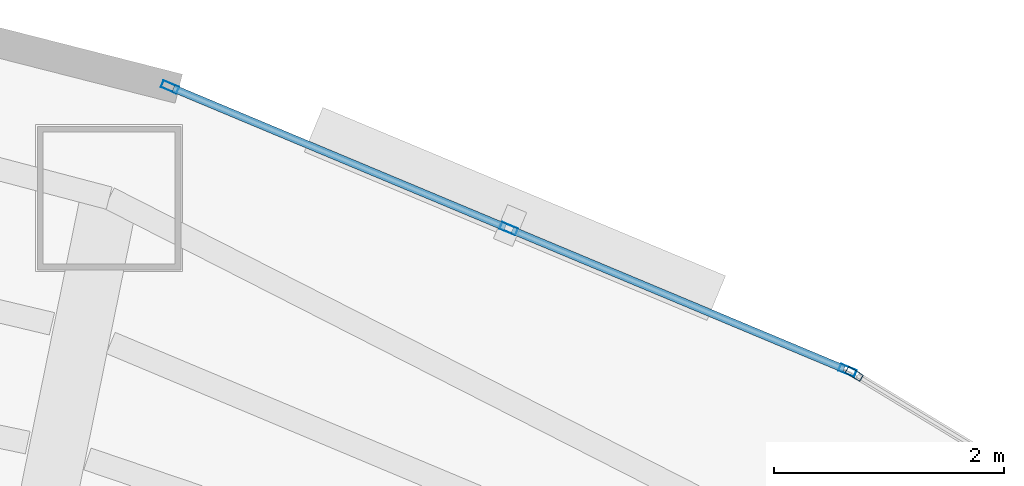
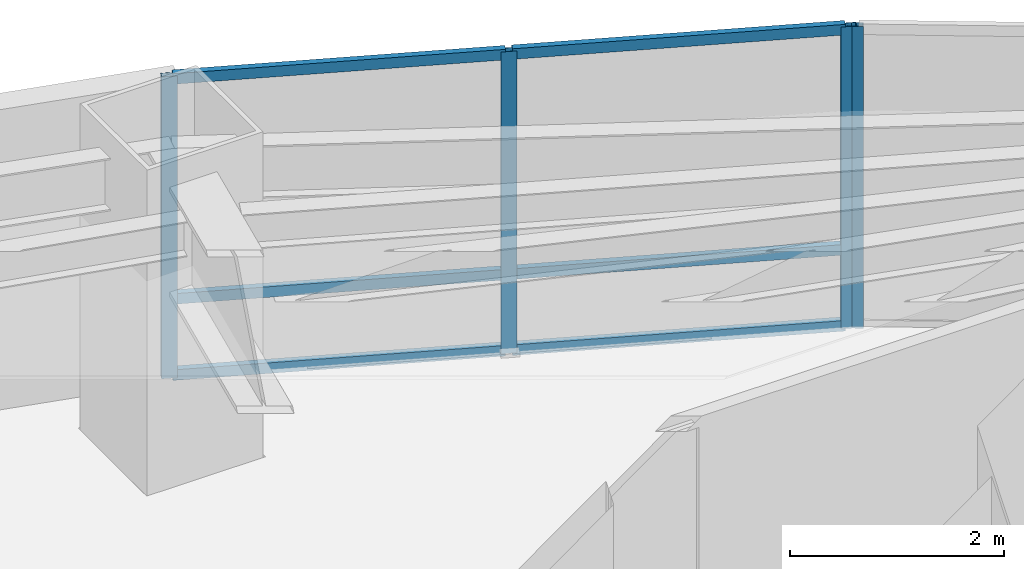
# One storey, part 8 of 17: 10 members, 2 elements without a shape of their own.
"""IFC4 building model written with IfcOpenShell, lengths in metres."""

from ifc_helpers import new_model, si_unit, direction, frame, origin, origin_2d, place, context, subcontext, project, spatial, hollow_rectangle, extrude, material, layer, layer_set, material_profile, profile_set, type_object, element, aggregate, save


model = new_model("IFC4")

# Units and contexts
model_context = context("Model", 3, precision=1e-05, world=origin(), true_north=direction((0.0, 1.0)))
body_context = subcontext(model_context, "Body", "Model", "MODEL_VIEW")
ifc_project = project(units=[si_unit("LENGTHUNIT", "METRE"), si_unit("AREAUNIT", "SQUARE_METRE"), si_unit("VOLUMEUNIT", "CUBIC_METRE"), si_unit("PLANEANGLEUNIT", "RADIAN"), si_unit("MASSUNIT", "GRAM", prefix="KILO")], contexts=[model_context])

# Site, building, storey
site_placement = place(None, origin())
site = spatial("IfcSite", under=ifc_project, at=site_placement, CompositionType="ELEMENT")
building_placement = place(site_placement, origin())
building = spatial("IfcBuilding", under=site, at=building_placement, Name="Menara Vayukalpa", CompositionType="ELEMENT")
storey_placement = place(building_placement, frame((0.0, 0.0, 100.260009765625)))
storey = spatial("IfcBuildingStorey", under=building, at=storey_placement, Name="L24", CompositionType="ELEMENT", Elevation=100.260009765625)

# Curtain wall, member
ifc_material_1 = material(Name="Anodised Terracotta Aluminium Alloy 6063-T6", Category="masonry")
ifc_layer = layer(ifc_material_1, 0.14990234375)
ifc_layer_set = layer_set([ifc_layer], Name="Anodised Terracotta Aluminium Alloy 6063-T6")
curtain_wall_type = type_object("IfcCurtainWallType", Name="CW-CW3", PredefinedType="USERDEFINED", material=ifc_layer_set)
curtain_wall_1_placement = place(storey_placement, origin())
curtain_wall_1 = element("IfcCurtainWall", 1, at=curtain_wall_1_placement, inside=storey, type_object=curtain_wall_type, Name="L24 Mid Rise Terracotta Ribbon Curtain Wall CW3 04", ObjectType="UNITISED", PredefinedType="USERDEFINED")
ifc_material_2 = material(Name="Anodised Terracotta Aluminium Alloy 6063-T6", Category="masonry")
ifc_material_profile_1 = material_profile(ifc_material_2, hollow_rectangle(XDim=0.06494140625, YDim=0.14990234375, WallThickness=0.00341796875, at=origin_2d()), Name="ALU 65x150x3.5")
ifc_profile_set_1 = profile_set([ifc_material_profile_1], Name="Anodised Terracotta Aluminium Alloy 6063-T6")
member_type_1 = type_object("IfcMemberType", Name="CWM-CW3", PredefinedType="MULLION", material=ifc_profile_set_1)
member_1_placement = place(storey_placement, frame((29.8935546875, 31.938232421875, 0.0), z_axis=(0.0, 0.0, 1.0), x_axis=(-0.519182959112, -0.854663123674, 0.0)))
member_1 = element("IfcMember", 2, at=member_1_placement, type_object=member_type_1, Name="CW3 mullion 3", PredefinedType="MULLION", context=body_context, shape_type="SweptSolid", body=[
    extrude(hollow_rectangle(XDim=0.06494140625, YDim=0.14990234375, WallThickness=0.00341796875, at=origin_2d()), origin(), (0.0, 0.0, 1.0), 3.43994140625),
])
aggregate(curtain_wall_1, [member_1])

# Curtain wall, members
curtain_wall_2_placement = place(storey_placement, origin())
curtain_wall_2 = element("IfcCurtainWall", 3, at=curtain_wall_2_placement, inside=storey, type_object=curtain_wall_type, Name="L24 Mid Rise Terracotta Ribbon Curtain Wall CW3 05", ObjectType="UNITISED", PredefinedType="USERDEFINED")
member_2_placement = place(storey_placement, frame((29.8359375, 31.9677734375, 0.0), z_axis=(0.0, 0.0, 1.0), x_axis=(-0.38589358437, -0.922543300632, 0.0)))
member_2 = element("IfcMember", 4, at=member_2_placement, type_object=member_type_1, Name="CW3 mullion 1", PredefinedType="MULLION", context=body_context, shape_type="SweptSolid", body=[
    extrude(hollow_rectangle(XDim=0.06494140625, YDim=0.14990234375, WallThickness=0.00341796875, at=origin_2d()), origin(), (0.0, 0.0, 1.0), 3.43994140625),
])
member_3_placement = place(storey_placement, frame((26.88671875, 33.201416015625, 0.0), z_axis=(0.0, 0.0, 1.0), x_axis=(-0.38589358437, -0.922543300632, 0.0)))
member_3 = element("IfcMember", 5, at=member_3_placement, type_object=member_type_1, Name="CW3 mullion 2", PredefinedType="MULLION", context=body_context, shape_type="SweptSolid", body=[
    extrude(hollow_rectangle(XDim=0.06494140625, YDim=0.14990234375, WallThickness=0.00341796875, at=origin_2d()), origin(), (0.0, 0.0, 1.0), 3.43994140625),
])
member_4_placement = place(storey_placement, frame((23.9375, 34.43505859375, 0.0), z_axis=(0.0, 0.0, 1.0), x_axis=(-0.38589358437, -0.922543300632, 0.0)))
member_4 = element("IfcMember", 6, at=member_4_placement, type_object=member_type_1, Name="CW3 mullion 3", PredefinedType="MULLION", context=body_context, shape_type="SweptSolid", body=[
    extrude(hollow_rectangle(XDim=0.06494140625, YDim=0.14990234375, WallThickness=0.00341796875, at=origin_2d()), origin(), (0.0, 0.0, 1.0), 3.43994140625),
])
ifc_material_3 = material(Name="Anodised Terracotta Aluminium Alloy 6063-T6", Category="masonry")
ifc_material_profile_2 = material_profile(ifc_material_3, hollow_rectangle(XDim=0.06494140625, YDim=0.1201171875, WallThickness=0.00341796875, at=origin_2d()), Name="ALU 65x120x3.5")
ifc_profile_set_2 = profile_set([ifc_material_profile_2], Name="Anodised Terracotta Aluminium Alloy 6063-T6")
member_type_2 = type_object("IfcMemberType", Name="CWT-CW3", PredefinedType="USERDEFINED", material=ifc_profile_set_2)
member_5_placement = place(storey_placement, frame((29.805908203125, 31.980224609375, 0.032470703125), z_axis=(-0.922517812792, 0.385954511673, 0.0), x_axis=(-0.385954511673, -0.922517812792, 0.0)))
member_5 = element("IfcMember", 7, at=member_5_placement, type_object=member_type_2, Name="CW3 transom 1.1", ObjectType="TRANSOM", PredefinedType="USERDEFINED", context=body_context, shape_type="SweptSolid", body=[
    extrude(hollow_rectangle(XDim=0.06494140625, YDim=0.1201171875, WallThickness=0.00341796875, at=origin_2d()), origin(), (0.0, 0.0, 1.0), 3.1318359375),
])
member_6_placement = place(storey_placement, frame((29.805908203125, 31.980224609375, 0.89990234375), z_axis=(-0.922517812792, 0.385954511673, 0.0), x_axis=(-0.385954511673, -0.922517812792, 0.0)))
member_6 = element("IfcMember", 8, at=member_6_placement, type_object=member_type_2, Name="CW3 transom 1.2", ObjectType="TRANSOM", PredefinedType="USERDEFINED", context=body_context, shape_type="SweptSolid", body=[
    extrude(hollow_rectangle(XDim=0.06494140625, YDim=0.1201171875, WallThickness=0.00341796875, at=origin_2d()), origin(), (0.0, 0.0, 1.0), 3.1318359375),
])
member_7_placement = place(storey_placement, frame((29.805908203125, 31.980224609375, 3.407470703125), z_axis=(-0.922517812792, 0.385954511673, 0.0), x_axis=(-0.385954511673, -0.922517812792, 0.0)))
member_7 = element("IfcMember", 9, at=member_7_placement, type_object=member_type_2, Name="CW3 transom 1.3", ObjectType="TRANSOM", PredefinedType="USERDEFINED", context=body_context, shape_type="SweptSolid", body=[
    extrude(hollow_rectangle(XDim=0.06494140625, YDim=0.1201171875, WallThickness=0.00341796875, at=origin_2d()), origin(), (0.0, 0.0, 1.0), 3.1318359375),
])
member_8_placement = place(storey_placement, frame((26.856689453125, 33.2138671875, 0.032470703125), z_axis=(-0.922529423765, 0.385926757673, 0.0), x_axis=(-0.385926757673, -0.922529423765, 0.0)))
member_8 = element("IfcMember", 10, at=member_8_placement, type_object=member_type_2, Name="CW3 transom 2.1", ObjectType="TRANSOM", PredefinedType="USERDEFINED", context=body_context, shape_type="SweptSolid", body=[
    extrude(hollow_rectangle(XDim=0.06494140625, YDim=0.1201171875, WallThickness=0.00341796875, at=origin_2d()), origin(), (0.0, 0.0, 1.0), 3.132080078125),
])
member_9_placement = place(storey_placement, frame((26.856689453125, 33.2138671875, 0.89990234375), z_axis=(-0.922529423765, 0.385926757673, 0.0), x_axis=(-0.385926757673, -0.922529423765, 0.0)))
member_9 = element("IfcMember", 11, at=member_9_placement, type_object=member_type_2, Name="CW3 transom 2.2", ObjectType="TRANSOM", PredefinedType="USERDEFINED", context=body_context, shape_type="SweptSolid", body=[
    extrude(hollow_rectangle(XDim=0.06494140625, YDim=0.1201171875, WallThickness=0.00341796875, at=origin_2d()), origin(), (0.0, 0.0, 1.0), 3.132080078125),
])
member_10_placement = place(storey_placement, frame((26.856689453125, 33.2138671875, 3.407470703125), z_axis=(-0.922529423765, 0.385926757673, 0.0), x_axis=(-0.385926757673, -0.922529423765, 0.0)))
member_10 = element("IfcMember", 12, at=member_10_placement, type_object=member_type_2, Name="CW3 transom 2.3", ObjectType="TRANSOM", PredefinedType="USERDEFINED", context=body_context, shape_type="SweptSolid", body=[
    extrude(hollow_rectangle(XDim=0.06494140625, YDim=0.1201171875, WallThickness=0.00341796875, at=origin_2d()), origin(), (0.0, 0.0, 1.0), 3.132080078125),
])
aggregate(curtain_wall_2, [member_2, member_3, member_4, member_5, member_6, member_7, member_8, member_9, member_10])

save(model, "model.ifc")
